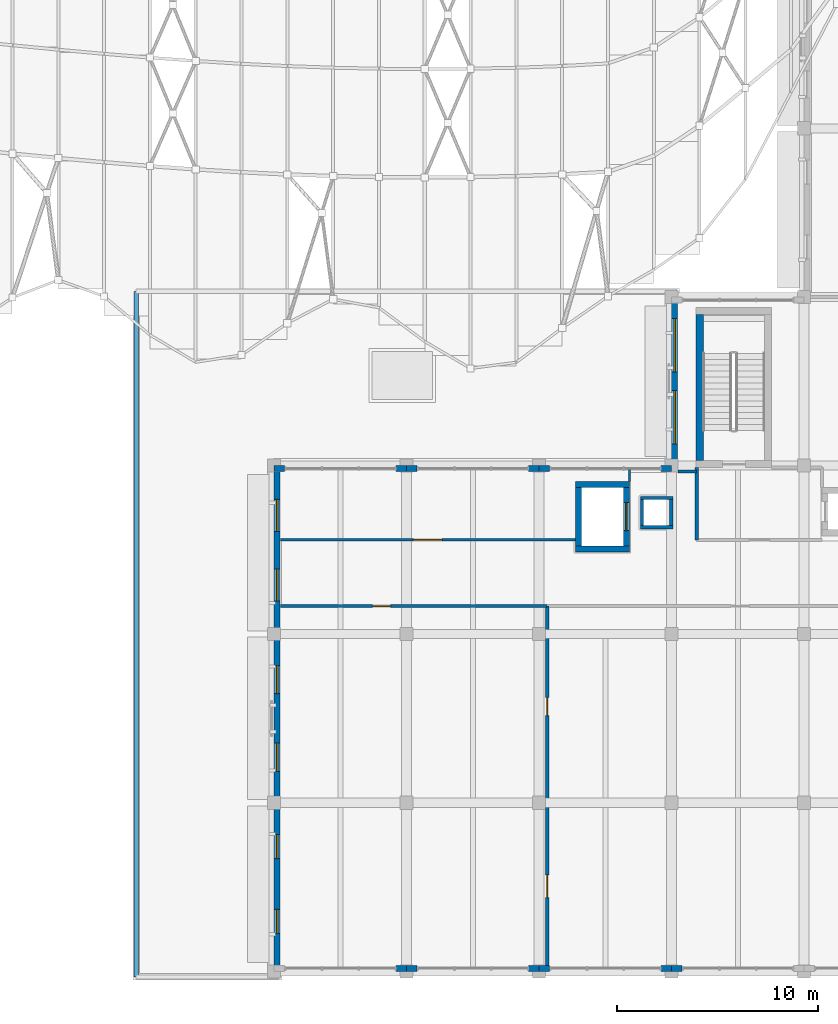
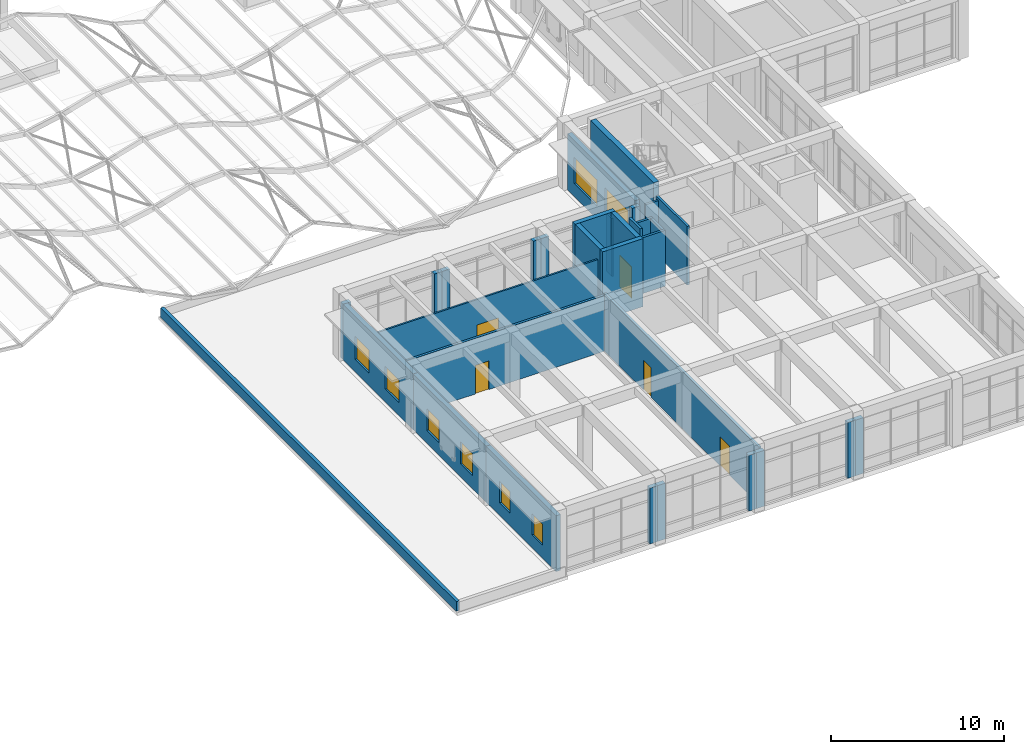
# One storey, part 53 of 79: 32 walls, 8 windows, 5 doors, 13 openings.
"""IFC4 building model written with IfcOpenShell, lengths in metres."""

from ifc_helpers import new_model, si_unit, direction, frame, frame_2d, origin, place, context, subcontext, project, spatial, rectangle, extrude, material, layer, layer_set, type_object, element, fill, save


model = new_model("IFC4")

# Units and contexts
model_context = context("Model", 3, precision=1e-05, world=origin(), true_north=direction((0.0, 1.0)))
body_context = subcontext(model_context, "Body", "Model", "MODEL_VIEW")
ifc_project = project(units=[si_unit("LENGTHUNIT", "METRE"), si_unit("AREAUNIT", "SQUARE_METRE"), si_unit("VOLUMEUNIT", "CUBIC_METRE"), si_unit("PLANEANGLEUNIT", "RADIAN"), si_unit("MASSUNIT", "GRAM", prefix="KILO")], contexts=[model_context])

# Site, building, storey
site_placement = place(None, origin())
site = spatial("IfcSite", under=ifc_project, at=site_placement, CompositionType="ELEMENT")
building_placement = place(site_placement, origin())
building = spatial("IfcBuilding", under=site, at=building_placement, Name="Kolvaren Faculty of Natural Sciences", CompositionType="ELEMENT")
storey_placement = place(building_placement, frame((0.0, 0.0, 10.199951171875)))
storey = spatial("IfcBuildingStorey", under=building, at=storey_placement, Name="L02", CompositionType="ELEMENT", Elevation=10.199951171875)

# Wall, opening, door
ifc_material_1 = material(Name="Acoustic mineral-wool insulated gypsum partition")
ifc_layer_1 = layer(ifc_material_1, 0.159912109375)
ifc_layer_set_1 = layer_set([ifc_layer_1], Name="Acoustic mineral-wool insulated gypsum partition")
wall_type_1 = type_object("IfcWallType", Name="ClassroomPartitionWall_160", PredefinedType="PARTITIONING", material=ifc_layer_set_1)
wall_1_placement = place(storey_placement, frame((106.10205078125, 26.800048828125, 0.0), z_axis=(0.0, 0.0, 1.0), x_axis=(1.0, 0.0, 0.0)))
wall_1 = element("IfcWall", 1, at=wall_1_placement, inside=storey, type_object=wall_type_1, Name="L02 interior partition PW-160", PredefinedType="PARTITIONING", context=body_context, shape_type="SweptSolid", body=[
    extrude(rectangle(XDim=13.2978515625, YDim=0.159912109375, at=frame_2d((6.64892578125, 0.0))), origin(), (0.0, 0.0, 1.0), 3.93505859375),
])
opening_1_placement = place(wall_1_placement, frame((4.603271484375, 0.0, 0.0)))
opening_1 = element("IfcOpeningElement", 2, at=opening_1_placement, cuts=wall_1, Name="Opening ID-01", PredefinedType="OPENING", context=body_context, shape_type="SweptSolid", body=[
    extrude(rectangle(XDim=0.89990234375, YDim=2.02001953125, at=frame_2d((0.449951171875, 1.010009765625))), frame((0.0, 0.08984375, 0.0), z_axis=(0.0, -1.0, 0.0), x_axis=(1.0, 0.0, 0.0)), (0.0, 0.0, 1.0), 0.179931640625),
])
ifc_material_2 = material(Name="Solid-core hardwood veneer door leaf in steel frame", Category="steel")
door_type_1 = type_object("IfcDoorType", Name="InteriorRoomDoor_900x2020", OperationType="NOTDEFINED", PredefinedType="DOOR", material=ifc_material_2)
door_1_placement = place(opening_1_placement, origin())
door_1 = element("IfcDoor", 3, at=door_1_placement, inside=storey, type_object=door_type_1, Name="D-L02-0200", OperationType="SINGLE_SWING_RIGHT", OverallHeight=2.02001953125, OverallWidth=0.89990234375, PredefinedType="DOOR", context=body_context, shape_type="SweptSolid", body=[
    extrude(rectangle(XDim=0.89990234375, YDim=2.02001953125, at=frame_2d((0.449951171875, 1.010009765625))), frame((0.0, 0.02490234375, 0.0), z_axis=(0.0, -1.0, 0.0), x_axis=(1.0, 0.0, 0.0)), (0.0, 0.0, 1.0), 0.050048828125),
])
fill(opening_1, door_1)

# Wall, openings, doors
wall_2_placement = place(storey_placement, frame((119.39990234375, 26.800048828125, 0.0), z_axis=(0.0, 0.0, 1.0), x_axis=(0.0, -1.0, 0.0)))
wall_2 = element("IfcWall", 4, at=wall_2_placement, inside=storey, type_object=wall_type_1, Name="L02 interior partition PW-160", PredefinedType="PARTITIONING", context=body_context, shape_type="SweptSolid", body=[
    extrude(rectangle(XDim=17.89794921875, YDim=0.159912109375, at=frame_2d((8.948974609375, 0.0))), origin(), (0.0, 0.0, 1.0), 4.03515625),
])
opening_2_placement = place(wall_2_placement, frame((13.390380859375, 0.0, 0.0)))
opening_2 = element("IfcOpeningElement", 5, at=opening_2_placement, cuts=wall_2, Name="Opening ID-11", PredefinedType="OPENING", context=body_context, shape_type="SweptSolid", body=[
    extrude(rectangle(XDim=1.139892578125, YDim=2.06005859375, at=frame_2d((0.56982421875, 1.030029296875))), frame((0.0, 0.08984375, 0.0), z_axis=(0.0, -1.0, 0.0), x_axis=(1.0, 0.0, 0.0)), (0.0, 0.0, 1.0), 0.179931640625),
])
opening_3_placement = place(wall_2_placement, frame((4.561279296875, 0.0, 0.0)))
opening_3 = element("IfcOpeningElement", 6, at=opening_3_placement, cuts=wall_2, Name="Opening ID-12", PredefinedType="OPENING", context=body_context, shape_type="SweptSolid", body=[
    extrude(rectangle(XDim=0.89990234375, YDim=2.10009765625, at=frame_2d((0.449951171875, 1.050048828125))), frame((0.0, 0.08984375, 0.0), z_axis=(0.0, -1.0, 0.0), x_axis=(1.0, 0.0, 0.0)), (0.0, 0.0, 1.0), 0.179931640625),
])
door_type_2 = type_object("IfcDoorType", Name="InteriorRoomDoor_1140x2060", OperationType="NOTDEFINED", PredefinedType="DOOR", material=ifc_material_2)
door_2_placement = place(opening_2_placement, origin())
door_2 = element("IfcDoor", 7, at=door_2_placement, inside=storey, type_object=door_type_2, Name="D-L02-0201", OperationType="SINGLE_SWING_LEFT", OverallHeight=2.06005859375, OverallWidth=1.139892578125, PredefinedType="DOOR", context=body_context, shape_type="SweptSolid", body=[
    extrude(rectangle(XDim=1.139892578125, YDim=2.06005859375, at=frame_2d((0.56982421875, 1.030029296875))), frame((0.0, 0.02490234375, 0.0), z_axis=(0.0, -1.0, 0.0), x_axis=(1.0, 0.0, 0.0)), (0.0, 0.0, 1.0), 0.050048828125),
])
fill(opening_2, door_2)
door_type_3 = type_object("IfcDoorType", Name="InteriorRoomDoor_900x2100", OperationType="NOTDEFINED", PredefinedType="DOOR", material=ifc_material_2)
door_3_placement = place(opening_3_placement, origin())
door_3 = element("IfcDoor", 8, at=door_3_placement, inside=storey, type_object=door_type_3, Name="D-L02-0203", OperationType="SINGLE_SWING_LEFT", OverallHeight=2.10009765625, OverallWidth=0.89990234375, PredefinedType="DOOR", context=body_context, shape_type="SweptSolid", body=[
    extrude(rectangle(XDim=0.89990234375, YDim=2.10009765625, at=frame_2d((0.449951171875, 1.050048828125))), frame((0.0, 0.02490234375, 0.0), z_axis=(0.0, -1.0, 0.0), x_axis=(1.0, 0.0, 0.0)), (0.0, 0.0, 1.0), 0.050048828125),
])
fill(opening_3, door_3)

# Walls
ifc_layer_2 = layer(ifc_material_1, 0.139892578125)
ifc_layer_set_2 = layer_set([ifc_layer_2], Name="Acoustic mineral-wool insulated gypsum partition")
wall_type_2 = type_object("IfcWallType", Name="CommonsPartitionWall_140", PredefinedType="PARTITIONING", material=ifc_layer_set_2)
wall_3_placement = place(storey_placement, frame((126.85009765625, 33.5, 0.0), z_axis=(0.0, 0.0, 1.0), x_axis=(-1.0, 0.0, 0.0)))
element("IfcWall", 9, at=wall_3_placement, inside=storey, type_object=wall_type_2, Name="L02 interior partition PW-140", PredefinedType="PARTITIONING", context=body_context, shape_type="SweptSolid", body=[
    extrude(rectangle(XDim=0.925048828125, YDim=0.139892578125, at=frame_2d((0.46240234375, 0.0))), origin(), (0.0, 0.0, 1.0), 3.93505859375),
])
ifc_material_3 = material(Name="Concrete C40/50", Category="concrete")
ifc_layer_3 = layer(ifc_material_3, 0.35009765625)
ifc_layer_set_3 = layer_set([ifc_layer_3], Name="Concrete C40/50")
wall_type_3 = type_object("IfcWallType", Name="CoreShearWall_350", PredefinedType="SHEAR", material=ifc_layer_set_3)
wall_4_placement = place(storey_placement, frame((127.0, 34.050048828125, 0.0), z_axis=(0.0, 0.0, 1.0), x_axis=(0.0, 1.0, 0.0)))
element("IfcWall", 10, at=wall_4_placement, inside=storey, type_object=wall_type_3, Name="L02 CORE-C3 stair shear wall W", PredefinedType="SHEAR", context=body_context, shape_type="SweptSolid", body=[
    extrude(rectangle(XDim=7.27490234375, YDim=0.35009765625, at=frame_2d((3.637451171875, 0.0))), origin(), (0.0, 0.0, 1.0), 4.800048828125),
])

# Wall, openings, windows
ifc_material_4 = material(Name="Sandstone-faced insulated cavity masonry", Category="masonry")
ifc_layer_4 = layer(ifc_material_4, 0.300048828125)
ifc_layer_set_4 = layer_set([ifc_layer_4], Name="Sandstone-faced insulated cavity masonry")
wall_type_4 = type_object("IfcWallType", Name="ExteriorCavityWall_300", PredefinedType="STANDARD", material=ifc_layer_set_4)
wall_5_placement = place(storey_placement, frame((125.75, 34.10009765625, 0.0), z_axis=(0.0, 0.0, 1.0), x_axis=(0.0, 1.0, 0.0)))
wall_5 = element("IfcWall", 11, at=wall_5_placement, inside=storey, type_object=wall_type_4, Name="L02 exterior masonry wall EW-300 (352)", PredefinedType="STANDARD", context=body_context, shape_type="SweptSolid", body=[
    extrude(rectangle(XDim=7.7998046875, YDim=0.300048828125, at=frame_2d((3.89990234375, 0.0))), origin(), (0.0, 0.0, 1.0), 3.93505859375),
])
opening_4_placement = place(wall_5_placement, frame((0.781005859375, 0.0, 0.89990234375)))
opening_4 = element("IfcOpeningElement", 12, at=opening_4_placement, cuts=wall_5, Name="Opening WIN-24", PredefinedType="OPENING", context=body_context, shape_type="SweptSolid", body=[
    extrude(rectangle(XDim=2.64990234375, YDim=1.85009765625, at=frame_2d((1.324951171875, 0.925048828125))), frame((0.0, 0.159912109375, 0.0), z_axis=(0.0, -1.0, 0.0), x_axis=(1.0, 0.0, 0.0)), (0.0, 0.0, 1.0), 0.320068359375),
])
opening_5_placement = place(wall_5_placement, frame((4.368896484375, 0.0, 0.89990234375)))
opening_5 = element("IfcOpeningElement", 13, at=opening_5_placement, cuts=wall_5, Name="Opening WIN-24", PredefinedType="OPENING", context=body_context, shape_type="SweptSolid", body=[
    extrude(rectangle(XDim=2.64990234375, YDim=1.85009765625, at=frame_2d((1.324951171875, 0.925048828125))), frame((0.0, 0.159912109375, 0.0), z_axis=(0.0, -1.0, 0.0), x_axis=(1.0, 0.0, 0.0)), (0.0, 0.0, 1.0), 0.320068359375),
])
ifc_material_5 = material(Name="Double low-E solar control insulated glazing", Category="glass")
window_type_1 = type_object("IfcWindowType", Name="AluWindow_WIN24_2650x1850", PartitioningType="SINGLE_PANEL", PredefinedType="WINDOW", material=ifc_material_5)
window_1_placement = place(opening_4_placement, origin())
window_1 = element("IfcWindow", 14, at=window_1_placement, inside=storey, type_object=window_type_1, Name="WIN-L02-0271", OverallHeight=1.85009765625, OverallWidth=2.64990234375, PartitioningType="SINGLE_PANEL", PredefinedType="WINDOW", context=body_context, shape_type="SweptSolid", body=[
    extrude(rectangle(XDim=2.64990234375, YDim=1.85009765625, at=frame_2d((1.324951171875, 0.925048828125))), frame((0.0, 0.030029296875, 0.0), z_axis=(0.0, -1.0, 0.0), x_axis=(1.0, 0.0, 0.0)), (0.0, 0.0, 1.0), 0.06005859375),
])
fill(opening_4, window_1)
window_2_placement = place(opening_5_placement, origin())
window_2 = element("IfcWindow", 15, at=window_2_placement, inside=storey, type_object=window_type_1, Name="WIN-L02-0272", OverallHeight=1.85009765625, OverallWidth=2.64990234375, PartitioningType="SINGLE_PANEL", PredefinedType="WINDOW", context=body_context, shape_type="SweptSolid", body=[
    extrude(rectangle(XDim=2.64990234375, YDim=1.85009765625, at=frame_2d((1.324951171875, 0.925048828125))), frame((0.0, 0.030029296875, 0.0), z_axis=(0.0, -1.0, 0.0), x_axis=(1.0, 0.0, 0.0)), (0.0, 0.0, 1.0), 0.06005859375),
])
fill(opening_5, window_2)

# Walls
for number, where, z_axis, x_axis, name in (
    (16, (126.1201171875, 8.75, 0.0), (0.0, 0.0, 1.0), (-1.0, 0.0, 0.0), "L02 curtain-wall pier stub 424"),
    (17, (125.60009765625, 8.75, 0.0), (0.0, 0.0, 1.0), (-1.0, 0.0, 0.0), "L02 curtain-wall pier stub 425"),
    (18, (119.52001953125, 8.75, 0.0), (0.0, 0.0, 1.0), (-1.0, 0.0, 0.0), "L02 curtain-wall pier stub 426"),
    (19, (119.0, 8.75, 0.0), (0.0, 0.0, 1.0), (-1.0, 0.0, 0.0), "L02 curtain-wall pier stub 427"),
    (20, (112.919921875, 8.75, 0.0), (0.0, 0.0, 1.0), (-1.0, 0.0, 0.0), "L02 curtain-wall pier stub 428"),
    (21, (112.39990234375, 8.75, 0.0), (0.0, 0.0, 1.0), (-1.0, 0.0, 0.0), "L02 curtain-wall pier stub 429"),
):
    element("IfcWall", number, at=place(storey_placement, frame(where, z_axis=z_axis, x_axis=x_axis)), inside=storey, type_object=wall_type_4, Name=name, PredefinedType="STANDARD", context=body_context, shape_type="SweptSolid", body=[
        extrude(rectangle(XDim=0.52001953125, YDim=0.300048828125, at=frame_2d((0.260009765625, 0.0))), origin(), (0.0, 0.0, 1.0), 3.93505859375),
    ])

# Wall, openings, windows
wall_6_placement = place(storey_placement, frame((105.949951171875, 8.89990234375, 0.0), z_axis=(0.0, 0.0, 1.0), x_axis=(0.0, 1.0, 0.0)))
wall_6 = element("IfcWall", 22, at=wall_6_placement, inside=storey, type_object=wall_type_4, Name="L02 exterior masonry wall EW-300 (431)", PredefinedType="STANDARD", context=body_context, shape_type="SweptSolid", body=[
    extrude(rectangle(XDim=8.10009765625, YDim=0.300048828125, at=frame_2d((4.050048828125, 0.0))), origin(), (0.0, 0.0, 1.0), 3.93505859375),
])
opening_6_placement = place(wall_6_placement, frame((1.5869140625, 0.0, 0.89990234375)))
opening_6 = element("IfcOpeningElement", 23, at=opening_6_placement, cuts=wall_6, Name="Opening WIN-13", PredefinedType="OPENING", context=body_context, shape_type="SweptSolid", body=[
    extrude(rectangle(XDim=1.199951171875, YDim=1.5, at=frame_2d((0.60009765625, 0.75))), frame((0.0, 0.159912109375, 0.0), z_axis=(0.0, -1.0, 0.0), x_axis=(1.0, 0.0, 0.0)), (0.0, 0.0, 1.0), 0.320068359375),
])
opening_7_placement = place(wall_6_placement, frame((5.31298828125, 0.0, 0.89990234375)))
opening_7 = element("IfcOpeningElement", 24, at=opening_7_placement, cuts=wall_6, Name="Opening WIN-13", PredefinedType="OPENING", context=body_context, shape_type="SweptSolid", body=[
    extrude(rectangle(XDim=1.199951171875, YDim=1.5, at=frame_2d((0.60009765625, 0.75))), frame((0.0, 0.159912109375, 0.0), z_axis=(0.0, -1.0, 0.0), x_axis=(1.0, 0.0, 0.0)), (0.0, 0.0, 1.0), 0.320068359375),
])
window_type_2 = type_object("IfcWindowType", Name="AluWindow_WIN13_1200x1500", PartitioningType="SINGLE_PANEL", PredefinedType="WINDOW", material=ifc_material_5)
window_3_placement = place(opening_6_placement, origin())
window_3 = element("IfcWindow", 25, at=window_3_placement, inside=storey, type_object=window_type_2, Name="WIN-L02-0291", OverallHeight=1.5, OverallWidth=1.199951171875, PartitioningType="SINGLE_PANEL", PredefinedType="WINDOW", context=body_context, shape_type="SweptSolid", body=[
    extrude(rectangle(XDim=1.199951171875, YDim=1.5, at=frame_2d((0.60009765625, 0.75))), frame((0.0, 0.030029296875, 0.0), z_axis=(0.0, -1.0, 0.0), x_axis=(1.0, 0.0, 0.0)), (0.0, 0.0, 1.0), 0.06005859375),
])
fill(opening_6, window_3)
window_4_placement = place(opening_7_placement, origin())
window_4 = element("IfcWindow", 26, at=window_4_placement, inside=storey, type_object=window_type_2, Name="WIN-L02-0292", OverallHeight=1.5, OverallWidth=1.199951171875, PartitioningType="SINGLE_PANEL", PredefinedType="WINDOW", context=body_context, shape_type="SweptSolid", body=[
    extrude(rectangle(XDim=1.199951171875, YDim=1.5, at=frame_2d((0.60009765625, 0.75))), frame((0.0, 0.030029296875, 0.0), z_axis=(0.0, -1.0, 0.0), x_axis=(1.0, 0.0, 0.0)), (0.0, 0.0, 1.0), 0.06005859375),
])
fill(opening_7, window_4)

wall_7_placement = place(storey_placement, frame((105.949951171875, 17.0, 0.0), z_axis=(0.0, 0.0, 1.0), x_axis=(0.0, 1.0, 0.0)))
wall_7 = element("IfcWall", 27, at=wall_7_placement, inside=storey, type_object=wall_type_4, Name="L02 exterior masonry wall EW-300 (432)", PredefinedType="STANDARD", context=body_context, shape_type="SweptSolid", body=[
    extrude(rectangle(XDim=8.39990234375, YDim=0.300048828125, at=frame_2d((4.199951171875, 0.0))), origin(), (0.0, 0.0, 1.0), 3.93505859375),
])
opening_8_placement = place(wall_7_placement, frame((1.568115234375, 0.0, 0.89990234375)))
opening_8 = element("IfcOpeningElement", 28, at=opening_8_placement, cuts=wall_7, Name="Opening WIN-14", PredefinedType="OPENING", context=body_context, shape_type="SweptSolid", body=[
    extrude(rectangle(XDim=1.39990234375, YDim=1.550048828125, at=frame_2d((0.699951171875, 0.77490234375))), frame((0.0, 0.159912109375, 0.0), z_axis=(0.0, -1.0, 0.0), x_axis=(1.0, 0.0, 0.0)), (0.0, 0.0, 1.0), 0.320068359375),
])
opening_9_placement = place(wall_7_placement, frame((5.431884765625, 0.0, 0.89990234375)))
opening_9 = element("IfcOpeningElement", 29, at=opening_9_placement, cuts=wall_7, Name="Opening WIN-14", PredefinedType="OPENING", context=body_context, shape_type="SweptSolid", body=[
    extrude(rectangle(XDim=1.39990234375, YDim=1.550048828125, at=frame_2d((0.699951171875, 0.77490234375))), frame((0.0, 0.159912109375, 0.0), z_axis=(0.0, -1.0, 0.0), x_axis=(1.0, 0.0, 0.0)), (0.0, 0.0, 1.0), 0.320068359375),
])
window_type_3 = type_object("IfcWindowType", Name="AluWindow_WIN14_1400x1550", PartitioningType="SINGLE_PANEL", PredefinedType="WINDOW", material=ifc_material_5)
window_5_placement = place(opening_8_placement, origin())
window_5 = element("IfcWindow", 30, at=window_5_placement, inside=storey, type_object=window_type_3, Name="WIN-L02-0293", OverallHeight=1.550048828125, OverallWidth=1.39990234375, PartitioningType="SINGLE_PANEL", PredefinedType="WINDOW", context=body_context, shape_type="SweptSolid", body=[
    extrude(rectangle(XDim=1.39990234375, YDim=1.550048828125, at=frame_2d((0.699951171875, 0.77490234375))), frame((0.0, 0.030029296875, 0.0), z_axis=(0.0, -1.0, 0.0), x_axis=(1.0, 0.0, 0.0)), (0.0, 0.0, 1.0), 0.06005859375),
])
fill(opening_8, window_5)
window_6_placement = place(opening_9_placement, origin())
window_6 = element("IfcWindow", 31, at=window_6_placement, inside=storey, type_object=window_type_3, Name="WIN-L02-0294", OverallHeight=1.550048828125, OverallWidth=1.39990234375, PartitioningType="SINGLE_PANEL", PredefinedType="WINDOW", context=body_context, shape_type="SweptSolid", body=[
    extrude(rectangle(XDim=1.39990234375, YDim=1.550048828125, at=frame_2d((0.699951171875, 0.77490234375))), frame((0.0, 0.030029296875, 0.0), z_axis=(0.0, -1.0, 0.0), x_axis=(1.0, 0.0, 0.0)), (0.0, 0.0, 1.0), 0.06005859375),
])
fill(opening_9, window_6)

wall_8_placement = place(storey_placement, frame((105.949951171875, 25.39990234375, 0.0), z_axis=(0.0, 0.0, 1.0), x_axis=(0.0, 1.0, 0.0)))
wall_8 = element("IfcWall", 32, at=wall_8_placement, inside=storey, type_object=wall_type_4, Name="L02 exterior masonry wall EW-300 (433)", PredefinedType="STANDARD", context=body_context, shape_type="SweptSolid", body=[
    extrude(rectangle(XDim=8.10009765625, YDim=0.300048828125, at=frame_2d((4.050048828125, 0.0))), origin(), (0.0, 0.0, 1.0), 3.93505859375),
])
opening_10_placement = place(wall_8_placement, frame((1.639892578125, 0.0, 0.89990234375)))
opening_10 = element("IfcOpeningElement", 33, at=opening_10_placement, cuts=wall_8, Name="Opening WIN-15", PredefinedType="OPENING", context=body_context, shape_type="SweptSolid", body=[
    extrude(rectangle(XDim=1.60009765625, YDim=1.60009765625, at=frame_2d((0.800048828125, 0.800048828125))), frame((0.0, 0.159912109375, 0.0), z_axis=(0.0, -1.0, 0.0), x_axis=(1.0, 0.0, 0.0)), (0.0, 0.0, 1.0), 0.320068359375),
])
opening_11_placement = place(wall_8_placement, frame((5.113037109375, 0.0, 0.89990234375)))
opening_11 = element("IfcOpeningElement", 34, at=opening_11_placement, cuts=wall_8, Name="Opening WIN-15", PredefinedType="OPENING", context=body_context, shape_type="SweptSolid", body=[
    extrude(rectangle(XDim=1.60009765625, YDim=1.60009765625, at=frame_2d((0.800048828125, 0.800048828125))), frame((0.0, 0.159912109375, 0.0), z_axis=(0.0, -1.0, 0.0), x_axis=(1.0, 0.0, 0.0)), (0.0, 0.0, 1.0), 0.320068359375),
])
window_type_4 = type_object("IfcWindowType", Name="AluWindow_WIN15_1600x1600", PartitioningType="SINGLE_PANEL", PredefinedType="WINDOW", material=ifc_material_5)
window_7_placement = place(opening_10_placement, origin())
window_7 = element("IfcWindow", 35, at=window_7_placement, inside=storey, type_object=window_type_4, Name="WIN-L02-0295", OverallHeight=1.60009765625, OverallWidth=1.60009765625, PartitioningType="SINGLE_PANEL", PredefinedType="WINDOW", context=body_context, shape_type="SweptSolid", body=[
    extrude(rectangle(XDim=1.60009765625, YDim=1.60009765625, at=frame_2d((0.800048828125, 0.800048828125))), frame((0.0, 0.030029296875, 0.0), z_axis=(0.0, -1.0, 0.0), x_axis=(1.0, 0.0, 0.0)), (0.0, 0.0, 1.0), 0.06005859375),
])
fill(opening_10, window_7)
window_8_placement = place(opening_11_placement, origin())
window_8 = element("IfcWindow", 36, at=window_8_placement, inside=storey, type_object=window_type_4, Name="WIN-L02-0296", OverallHeight=1.60009765625, OverallWidth=1.60009765625, PartitioningType="SINGLE_PANEL", PredefinedType="WINDOW", context=body_context, shape_type="SweptSolid", body=[
    extrude(rectangle(XDim=1.60009765625, YDim=1.60009765625, at=frame_2d((0.800048828125, 0.800048828125))), frame((0.0, 0.030029296875, 0.0), z_axis=(0.0, -1.0, 0.0), x_axis=(1.0, 0.0, 0.0)), (0.0, 0.0, 1.0), 0.06005859375),
])
fill(opening_11, window_8)

# Walls
for number, where, z_axis, x_axis, name in (
    (37, (105.800048828125, 33.64990234375, 0.0), (0.0, 0.0, 1.0), (1.0, 0.0, 0.0), "L02 curtain-wall pier stub 434"),
    (38, (111.8798828125, 33.64990234375, 0.0), (0.0, 0.0, 1.0), (1.0, 0.0, 0.0), "L02 curtain-wall pier stub 435"),
    (39, (112.39990234375, 33.64990234375, 0.0), (0.0, 0.0, 1.0), (1.0, 0.0, 0.0), "L02 curtain-wall pier stub 436"),
    (40, (118.47998046875, 33.64990234375, 0.0), (0.0, 0.0, 1.0), (1.0, 0.0, 0.0), "L02 curtain-wall pier stub 437"),
    (41, (119.0, 33.64990234375, 0.0), (0.0, 0.0, 1.0), (1.0, 0.0, 0.0), "L02 curtain-wall pier stub 438"),
    (42, (125.080078125, 33.64990234375, 0.0), (0.0, 0.0, 1.0), (1.0, 0.0, 0.0), "L02 curtain-wall pier stub 439"),
):
    element("IfcWall", number, at=place(storey_placement, frame(where, z_axis=z_axis, x_axis=x_axis)), inside=storey, type_object=wall_type_4, Name=name, PredefinedType="STANDARD", context=body_context, shape_type="SweptSolid", body=[
        extrude(rectangle(XDim=0.52001953125, YDim=0.300048828125, at=frame_2d((0.260009765625, 0.0))), origin(), (0.0, 0.0, 1.0), 3.93505859375),
    ])
ifc_material_6 = material(Name="Precast concrete C35/45", Category="concrete")
ifc_layer_5 = layer(ifc_material_6, 0.219970703125)
ifc_layer_set_5 = layer_set([ifc_layer_5], Name="Precast concrete C35/45")
wall_type_5 = type_object("IfcWallType", Name="ParapetUpstandWall_220", PredefinedType="PARAPET", material=ifc_layer_set_5)
wall_9_placement = place(storey_placement, frame((98.919921875, 8.320068359375, 0.0), z_axis=(0.0, 0.0, 1.0), x_axis=(0.0, 1.0, 0.0)))
element("IfcWall", 43, at=wall_9_placement, inside=storey, type_object=wall_type_5, Name="L02 architectural sandstone roof parapet 23", PredefinedType="PARAPET", context=body_context, shape_type="SweptSolid", body=[
    extrude(rectangle(XDim=34.159912109375, YDim=0.219970703125, at=frame_2d((17.080078125, 0.0))), origin(), (0.0, 0.0, 1.0), 0.679931640625),
])
ifc_material_7 = material(Name="Double fire-rated gypsum board on 100 mm steel stud", Category="steel")
ifc_layer_6 = layer(ifc_material_7, 0.14990234375)
ifc_layer_set_6 = layer_set([ifc_layer_6], Name="Double fire-rated gypsum board on 100 mm steel stud")
wall_type_6 = type_object("IfcWallType", Name="RatedCorridorWall_150", PredefinedType="PARTITIONING", material=ifc_layer_set_6)
wall_10_placement = place(storey_placement, frame((126.85009765625, 30.10009765625, 0.0), z_axis=(0.0, 0.0, 1.0), x_axis=(0.0, 1.0, 0.0)))
element("IfcWall", 44, at=wall_10_placement, inside=storey, type_object=wall_type_6, Name="L02 interior partition LW-150", PredefinedType="PARTITIONING", context=body_context, shape_type="SweptSolid", body=[
    extrude(rectangle(XDim=3.597900390625, YDim=0.14990234375, at=frame_2d((1.798828125, 0.0))), origin(), (0.0, 0.0, 1.0), 4.135009765625),
])
ifc_layer_7 = layer(ifc_material_7, 0.159912109375)
ifc_layer_set_7 = layer_set([ifc_layer_7], Name="Double fire-rated gypsum board on 100 mm steel stud")
wall_type_7 = type_object("IfcWallType", Name="RiserShaftWall_160", PredefinedType="PARTITIONING", material=ifc_layer_set_7)
for number, where, z_axis, x_axis, name in (
    (45, (124.0400390625, 30.719970703125, 0.0), (0.0, 0.0, 1.0), (1.0, 0.0, 0.0), "L02 service riser shaft wall S"),
    (46, (124.0400390625, 32.179931640625, 0.0), (0.0, 0.0, 1.0), (1.0, 0.0, 0.0), "L02 service riser shaft wall N"),
):
    element("IfcWall", number, at=place(storey_placement, frame(where, z_axis=z_axis, x_axis=x_axis)), inside=storey, type_object=wall_type_7, Name=name, PredefinedType="PARTITIONING", context=body_context, shape_type="SweptSolid", body=[
        extrude(rectangle(XDim=1.619873046875, YDim=0.159912109375, at=frame_2d((0.81005859375, 0.0))), origin(), (0.0, 0.0, 1.0), 3.93505859375),
    ])
wall_11_placement = place(storey_placement, frame((124.1201171875, 30.800048828125, 0.0), z_axis=(0.0, 0.0, 1.0), x_axis=(0.0, 1.0, 0.0)))
element("IfcWall", 47, at=wall_11_placement, inside=storey, type_object=wall_type_7, Name="L02 service riser shaft wall W", PredefinedType="PARTITIONING", context=body_context, shape_type="SweptSolid", body=[
    extrude(rectangle(XDim=1.300048828125, YDim=0.159912109375, at=frame_2d((0.64990234375, 0.0))), origin(), (0.0, 0.0, 1.0), 4.4951171875),
])
wall_12_placement = place(storey_placement, frame((125.580078125, 30.800048828125, 0.0), z_axis=(0.0, 0.0, 1.0), x_axis=(0.0, 1.0, 0.0)))
element("IfcWall", 48, at=wall_12_placement, inside=storey, type_object=wall_type_7, Name="L02 service riser shaft wall E", PredefinedType="PARTITIONING", context=body_context, shape_type="SweptSolid", body=[
    extrude(rectangle(XDim=1.300048828125, YDim=0.159912109375, at=frame_2d((0.64990234375, 0.0))), origin(), (0.0, 0.0, 1.0), 3.93505859375),
])
ifc_layer_8 = layer(ifc_material_3, 0.300048828125)
ifc_layer_set_8 = layer_set([ifc_layer_8], Name="Concrete C40/50")
wall_type_8 = type_object("IfcWallType", Name="ShaftShearWall_300", PredefinedType="SHEAR", material=ifc_layer_set_8)
for number, where, z_axis, x_axis, name in (
    (49, (120.800048828125, 29.64990234375, 0.0), (0.0, 0.0, 1.0), (1.0, 0.0, 0.0), "L02 lift GL-1 shaft wall S"),
    (50, (120.800048828125, 32.85009765625, 0.0), (0.0, 0.0, 1.0), (1.0, 0.0, 0.0), "L02 lift GL-1 shaft wall N"),
):
    element("IfcWall", number, at=place(storey_placement, frame(where, z_axis=z_axis, x_axis=x_axis)), inside=storey, type_object=wall_type_8, Name=name, PredefinedType="SHEAR", context=body_context, shape_type="SweptSolid", body=[
        extrude(rectangle(XDim=2.699951171875, YDim=0.300048828125, at=frame_2d((1.35009765625, 0.0))), origin(), (0.0, 0.0, 1.0), 4.800048828125),
    ])
wall_13_placement = place(storey_placement, frame((120.949951171875, 29.800048828125, 0.0), z_axis=(0.0, 0.0, 1.0), x_axis=(0.0, 1.0, 0.0)))
element("IfcWall", 51, at=wall_13_placement, inside=storey, type_object=wall_type_8, Name="L02 lift GL-1 shaft wall W", PredefinedType="SHEAR", context=body_context, shape_type="SweptSolid", body=[
    extrude(rectangle(XDim=2.89990234375, YDim=0.300048828125, at=frame_2d((1.449951171875, 0.0))), origin(), (0.0, 0.0, 1.0), 4.800048828125),
])

# Wall, opening, door
wall_14_placement = place(storey_placement, frame((123.35009765625, 29.800048828125, 0.0), z_axis=(0.0, 0.0, 1.0), x_axis=(0.0, 1.0, 0.0)))
wall_14 = element("IfcWall", 52, at=wall_14_placement, inside=storey, type_object=wall_type_8, Name="L02 lift GL-1 shaft wall E", PredefinedType="SHEAR", context=body_context, shape_type="SweptSolid", body=[
    extrude(rectangle(XDim=2.89990234375, YDim=0.300048828125, at=frame_2d((1.449951171875, 0.0))), origin(), (0.0, 0.0, 1.0), 4.800048828125),
])
opening_12_placement = place(wall_14_placement, frame((0.75, 0.0, 0.0)))
opening_12 = element("IfcOpeningElement", 53, at=opening_12_placement, cuts=wall_14, Name="Opening LD-03", PredefinedType="OPENING", context=body_context, shape_type="SweptSolid", body=[
    extrude(rectangle(XDim=1.39990234375, YDim=2.199951171875, at=frame_2d((0.699951171875, 1.10009765625))), frame((0.0, 0.159912109375, 0.0), z_axis=(0.0, -1.0, 0.0), x_axis=(1.0, 0.0, 0.0)), (0.0, 0.0, 1.0), 0.320068359375),
])
ifc_material_8 = material(Name="Brushed stainless steel lift car and sliding door assembly", Category="steel")
door_type_4 = type_object("IfcDoorType", Name="GoodsLiftSliding_1400x2200", OperationType="DOUBLE_DOOR_SLIDING", PredefinedType="DOOR", material=ifc_material_8)
door_4_placement = place(opening_12_placement, origin())
door_4 = element("IfcDoor", 54, at=door_4_placement, inside=storey, type_object=door_type_4, Name="D-LIFT-GL-1-L02", OperationType="DOUBLE_DOOR_SLIDING", OverallHeight=2.199951171875, OverallWidth=1.39990234375, PredefinedType="DOOR", context=body_context, shape_type="SweptSolid", body=[
    extrude(rectangle(XDim=1.39990234375, YDim=2.199951171875, at=frame_2d((0.699951171875, 1.10009765625))), frame((0.0, 0.02490234375, 0.0), z_axis=(0.0, -1.0, 0.0), x_axis=(1.0, 0.0, 0.0)), (0.0, 0.0, 1.0), 0.050048828125),
])
fill(opening_12, door_4)

# Wall
ifc_layer_9 = layer(ifc_material_1, 0.114990234375)
ifc_layer_set_9 = layer_set([ifc_layer_9], Name="Acoustic mineral-wool insulated gypsum partition")
wall_type_9 = type_object("IfcWallType", Name="StorePartitionWall_115", PredefinedType="PARTITIONING", material=ifc_layer_set_9)
wall_15_placement = place(storey_placement, frame((123.5, 33.6201171875, 0.0), z_axis=(0.0, 0.0, 1.0), x_axis=(0.0, -1.0, 0.0)))
element("IfcWall", 55, at=wall_15_placement, inside=storey, type_object=wall_type_9, Name="L02 interior partition PW-115", PredefinedType="PARTITIONING", context=body_context, shape_type="SweptSolid", body=[
    extrude(rectangle(XDim=0.6181640625, YDim=0.114990234375, at=frame_2d((0.30908203125, 0.0))), origin(), (0.0, 0.0, 1.0), 4.0849609375),
])

# Wall, opening, door
wall_16_placement = place(storey_placement, frame((120.798095703125, 30.10009765625, 0.0), z_axis=(0.0, 0.0, 1.0), x_axis=(-1.0, 0.0, 0.0)))
wall_16 = element("IfcWall", 56, at=wall_16_placement, inside=storey, type_object=wall_type_9, Name="L02 interior partition PW-115", PredefinedType="PARTITIONING", context=body_context, shape_type="SweptSolid", body=[
    extrude(rectangle(XDim=14.696044921875, YDim=0.114990234375, at=frame_2d((7.34814453125, 0.0))), origin(), (0.0, 0.0, 1.0), 3.93505859375),
])
opening_13_placement = place(wall_16_placement, frame((6.6279296875, 0.0, 0.0)))
opening_13 = element("IfcOpeningElement", 57, at=opening_13_placement, cuts=wall_16, Name="Opening ID-27", PredefinedType="OPENING", context=body_context, shape_type="SweptSolid", body=[
    extrude(rectangle(XDim=1.43994140625, YDim=2.139892578125, at=frame_2d((0.719970703125, 1.06982421875))), frame((0.0, 0.0673828125, 0.0), z_axis=(0.0, -1.0, 0.0), x_axis=(1.0, 0.0, 0.0)), (0.0, 0.0, 1.0), 0.135009765625),
])
ifc_material_9 = material(Name="Thermally broken anodised aluminium glazed door", Category="aluminium")
door_type_5 = type_object("IfcDoorType", Name="InteriorRoomDoor_1440x2140", OperationType="DOUBLE_DOOR_SINGLE_SWING", PredefinedType="DOOR", material=ifc_material_9)
door_5_placement = place(opening_13_placement, origin())
door_5 = element("IfcDoor", 58, at=door_5_placement, inside=storey, type_object=door_type_5, Name="D-L02-0220", OperationType="DOUBLE_DOOR_SINGLE_SWING", OverallHeight=2.139892578125, OverallWidth=1.43994140625, PredefinedType="DOOR", context=body_context, shape_type="SweptSolid", body=[
    extrude(rectangle(XDim=1.43994140625, YDim=2.139892578125, at=frame_2d((0.719970703125, 1.06982421875))), frame((0.0, 0.02490234375, 0.0), z_axis=(0.0, -1.0, 0.0), x_axis=(1.0, 0.0, 0.0)), (0.0, 0.0, 1.0), 0.050048828125),
])
fill(opening_13, door_5)

save(model, "model.ifc")
